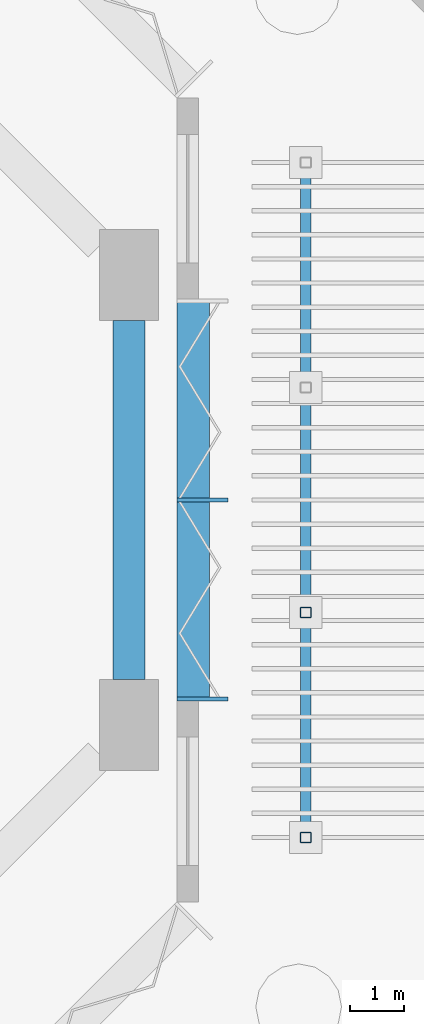
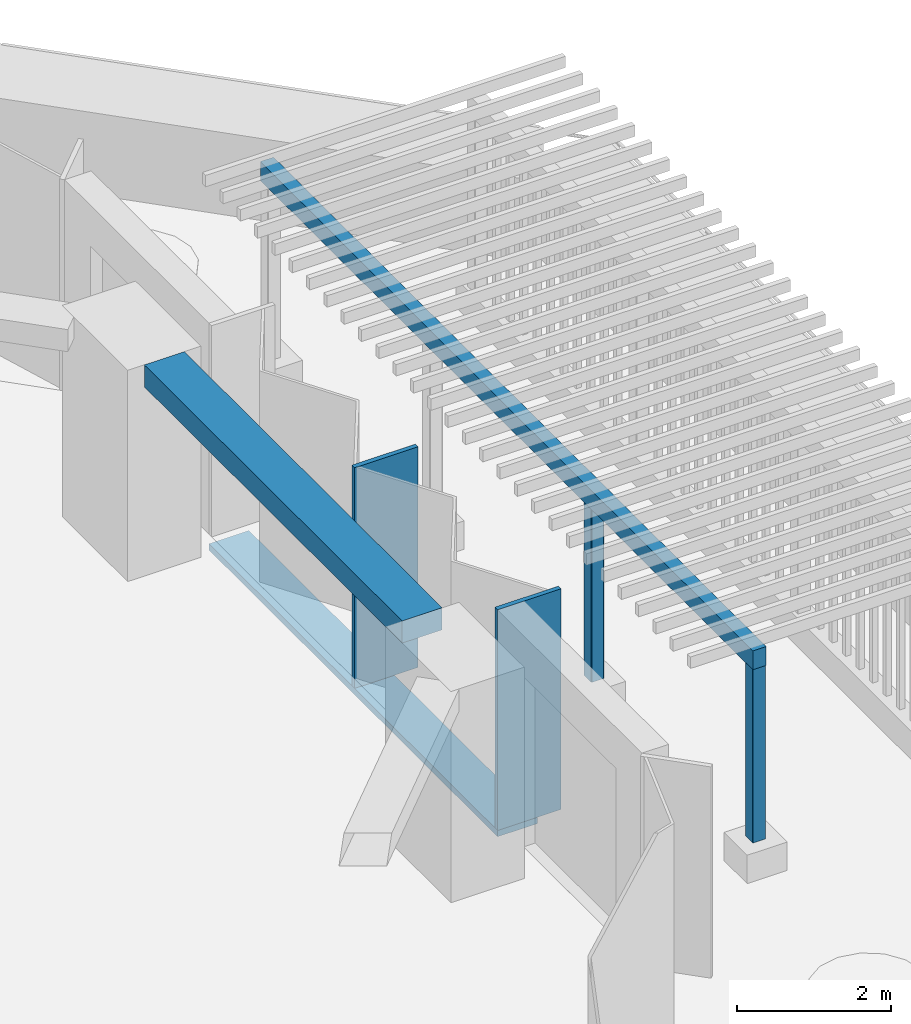
# One storey, part 2 of 18: 6 members, 1 beam, 1 element without a shape of its own.
"""IFC4 building model written with IfcOpenShell, lengths in metres."""

from ifc_helpers import new_model, si_unit, direction, frame, origin, origin_2d, place, context, subcontext, project, spatial, rectangle, hollow_rectangle, extrude, material, material_profile, profile_set, type_object, element, aggregate, save


model = new_model("IFC4")

# Units and contexts
model_context = context("Model", 3, precision=1e-05, world=origin(), true_north=direction((0.0, 1.0)))
body_context = subcontext(model_context, "Body", "Model", "MODEL_VIEW")
ifc_project = project(units=[si_unit("LENGTHUNIT", "METRE"), si_unit("AREAUNIT", "SQUARE_METRE"), si_unit("VOLUMEUNIT", "CUBIC_METRE"), si_unit("PLANEANGLEUNIT", "RADIAN"), si_unit("MASSUNIT", "GRAM", prefix="KILO")], contexts=[model_context])

# Site, building, storey
site_placement = place(None, origin())
site = spatial("IfcSite", under=ifc_project, at=site_placement, CompositionType="ELEMENT")
building_placement = place(site_placement, origin())
building = spatial("IfcBuilding", under=site, at=building_placement, Name="Brevane Broadcast Tower", CompositionType="ELEMENT")
storey_placement = place(building_placement, frame((0.0, 0.0, 134.89990234375)))
storey = spatial("IfcBuildingStorey", under=building, at=storey_placement, Name="L33", CompositionType="ELEMENT", Elevation=134.89990234375)

# Curtain wall, members
ifc_material_1 = material(Name="Aluminium 6063-T6 bronze anodised", Category="aluminium")
curtain_wall_type = type_object("IfcCurtainWallType", Name="CW-1 curtain wall", PredefinedType="NOTDEFINED", material=ifc_material_1)
curtain_wall_placement = place(storey_placement, origin())
curtain_wall = element("IfcCurtainWall", 1, at=curtain_wall_placement, inside=storey, type_object=curtain_wall_type, Name="CW-1 typical tilted unit L33 east end", PredefinedType="NOTDEFINED")
ifc_material_profile_1 = material_profile(ifc_material_1, rectangle(XDim=0.949951171875, YDim=0.070068359375, at=origin_2d()), Name="RECT 70x950")
ifc_profile_set_1 = profile_set([ifc_material_profile_1], Name="Aluminium 6063-T6 bronze anodised")
member_type_1 = type_object("IfcMemberType", Name="CW-1 mullion 70x950", PredefinedType="MULLION", material=ifc_profile_set_1)
member_1_placement = place(storey_placement, frame((60.175048828125, 8.885009765625, -0.14990234375), z_axis=(0.0, 0.0, 1.0), x_axis=(-1.0, 0.0, 0.0)))
member_1 = element("IfcMember", 2, at=member_1_placement, type_object=member_type_1, Name="CW-1 mullion", PredefinedType="MULLION", context=body_context, shape_type="SweptSolid", body=[
    extrude(rectangle(XDim=0.949951171875, YDim=0.070068359375, at=origin_2d()), origin(), (0.0, 0.0, 1.0), 3.5),
])
member_2_placement = place(storey_placement, frame((60.175048828125, 12.60009765625, -0.14990234375), z_axis=(0.0, 0.0, 1.0), x_axis=(-1.0, 0.0, 0.0)))
member_2 = element("IfcMember", 3, at=member_2_placement, type_object=member_type_1, Name="CW-1 mullion", PredefinedType="MULLION", context=body_context, shape_type="SweptSolid", body=[
    extrude(rectangle(XDim=0.949951171875, YDim=0.070068359375, at=origin_2d()), origin(), (0.0, 0.0, 1.0), 3.5),
])
ifc_material_profile_2 = material_profile(ifc_material_1, rectangle(XDim=0.60009765625, YDim=0.10009765625, at=origin_2d()), Name="RECT 100x600")
ifc_profile_set_2 = profile_set([ifc_material_profile_2], Name="Aluminium 6063-T6 bronze anodised")
member_type_2 = type_object("IfcMemberType", Name="CW-1 transom 100x600", PredefinedType="USERDEFINED", material=ifc_profile_set_2)
member_3_placement = place(storey_placement, frame((60.0, 8.85009765625, -0.199951171875), z_axis=(0.0, 1.0, 0.0), x_axis=(-1.0, 0.0, 0.0)))
member_3 = element("IfcMember", 4, at=member_3_placement, type_object=member_type_2, Name="CW-1 transom", ObjectType="TRANSOM", PredefinedType="USERDEFINED", context=body_context, shape_type="SweptSolid", body=[
    extrude(rectangle(XDim=0.60009765625, YDim=0.10009765625, at=origin_2d()), origin(), (0.0, 0.0, 1.0), 7.5),
])
aggregate(curtain_wall, [member_1, member_2, member_3])

# Beam
ifc_material_2 = material(Name="Concrete C40/50", Category="concrete")
ifc_material_profile_3 = material_profile(ifc_material_2, rectangle(XDim=0.60009765625, YDim=0.35009765625, at=origin_2d()), Name="RC 600x350")
ifc_profile_set_3 = profile_set([ifc_material_profile_3], Name="Concrete C40/50")
beam_type = type_object("IfcBeamType", Name="RC SPANDREL BEAM 600x350 C40/50", PredefinedType="SPANDREL", material=ifc_profile_set_3)
beam_placement = place(storey_placement, frame((58.800048828125, 9.25, 3.175048828125), z_axis=(0.0, 1.0, 0.0), x_axis=(-1.0, 0.0, 0.0)))
element("IfcBeam", 5, at=beam_placement, inside=storey, type_object=beam_type, Name="EB1 L33-5", PredefinedType="SPANDREL", context=body_context, shape_type="SweptSolid", body=[
    extrude(rectangle(XDim=0.60009765625, YDim=0.35009765625, at=origin_2d()), origin(), (0.0, 0.0, 1.0), 6.699951171875),
])

# Members
ifc_material_3 = material(Name="Steel S355", Category="steel")
ifc_material_profile_4 = material_profile(ifc_material_3, hollow_rectangle(XDim=0.199951171875, YDim=0.199951171875, WallThickness=0.010009765625, InnerFilletRadius=0.010009765625, OuterFilletRadius=0.02001953125, at=origin_2d()), Name="RHS 200x200x10")
ifc_profile_set_4 = profile_set([ifc_material_profile_4], Name="Steel S355")
member_type_3 = type_object("IfcMemberType", Name="Sky garden pergola post RHS 200x200x10 S355", PredefinedType="POST", material=ifc_profile_set_4)
for number, where, z_axis, x_axis, name in (
    (6, (62.10009765625, 6.300048828125, 0.4501953125), (0.0, 0.0, 1.0), (1.0, 0.0, 0.0), "Sky garden trellis post L33-1"),
    (7, (62.10009765625, 10.5, 0.4501953125), (0.0, 0.0, 1.0), (1.0, 0.0, 0.0), "Sky garden trellis post L33-2"),
):
    element("IfcMember", number, at=place(storey_placement, frame(where, z_axis=z_axis, x_axis=x_axis)), inside=storey, type_object=member_type_3, Name=name, PredefinedType="POST", context=body_context, shape_type="SweptSolid", body=[
        extrude(hollow_rectangle(XDim=0.199951171875, YDim=0.199951171875, WallThickness=0.010009765625, InnerFilletRadius=0.010009765625, OuterFilletRadius=0.02001953125, at=origin_2d()), origin(), (0.0, 0.0, 1.0), 2.75),
    ])
ifc_material_4 = material(Name="Glulam GL28h", Category="wood")
ifc_material_profile_5 = material_profile(ifc_material_4, rectangle(XDim=0.199951171875, YDim=0.300048828125, at=origin_2d()), Name="RECT 200x300")
ifc_profile_set_5 = profile_set([ifc_material_profile_5], Name="Glulam GL28h")
member_type_4 = type_object("IfcMemberType", Name="Sky garden trellis beam glulam 200x300 GL28h", PredefinedType="USERDEFINED", material=ifc_profile_set_5)
member_4_placement = place(storey_placement, frame((62.10009765625, 6.199951171875, 3.35009765625), z_axis=(0.0, 1.0, 0.0), x_axis=(-1.0, 0.0, 0.0)))
element("IfcMember", 8, at=member_4_placement, inside=storey, type_object=member_type_4, Name="Sky garden trellis beam L33-1", ObjectType="TRELLIS BEAM", PredefinedType="USERDEFINED", context=body_context, shape_type="SweptSolid", body=[
    extrude(rectangle(XDim=0.199951171875, YDim=0.300048828125, at=origin_2d()), origin(), (0.0, 0.0, 1.0), 12.800048828125),
])

save(model, "model.ifc")
